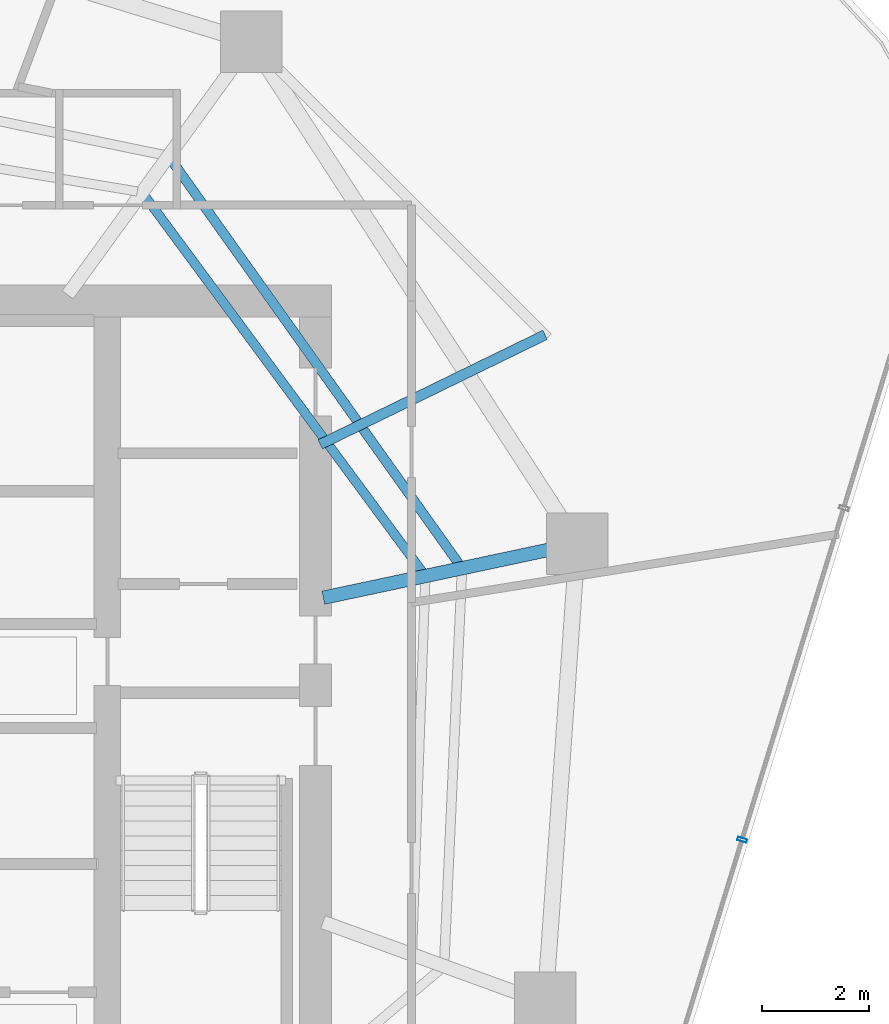
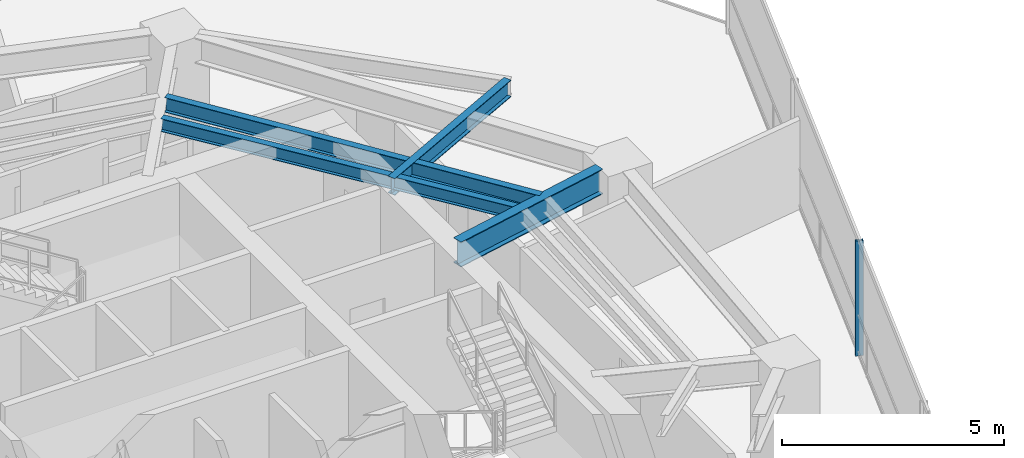
# One storey, part 9 of 23: 4 beams, 1 member, 1 element without a shape of its own.
"""IFC4 building model written with IfcOpenShell, lengths in metres."""

from ifc_helpers import new_model, si_unit, direction, frame, origin, origin_2d, place, context, subcontext, project, spatial, hollow_rectangle, i_section, extrude, material, layer, layer_set, material_profile, profile_set, type_object, element, aggregate, save


model = new_model("IFC4")

# Units and contexts
model_context = context("Model", 3, precision=1e-05, world=origin(), true_north=direction((0.0, 1.0)))
body_context = subcontext(model_context, "Body", "Model", "MODEL_VIEW")
ifc_project = project(units=[si_unit("LENGTHUNIT", "METRE"), si_unit("AREAUNIT", "SQUARE_METRE"), si_unit("VOLUMEUNIT", "CUBIC_METRE"), si_unit("PLANEANGLEUNIT", "RADIAN"), si_unit("MASSUNIT", "GRAM", prefix="KILO")], contexts=[model_context])

# Site, building, storey
site_placement = place(None, origin())
site = spatial("IfcSite", under=ifc_project, at=site_placement, CompositionType="ELEMENT")
building_placement = place(site_placement, origin())
building = spatial("IfcBuilding", under=site, at=building_placement, Name="Qarnah Convention Tower", CompositionType="ELEMENT")
storey_placement = place(building_placement, frame((0.0, 0.0, 114.300048828125)))
storey = spatial("IfcBuildingStorey", under=building, at=storey_placement, Name="L30", CompositionType="ELEMENT", Elevation=114.300048828125)

# Beams
ifc_material_1 = material(Name="Structural steel S355JR", Category="steel")
ifc_material_profile_1 = material_profile(ifc_material_1, i_section(OverallWidth=0.19189453125, OverallDepth=0.464111328125, WebThickness=0.010986328125, FlangeThickness=0.01806640625, at=origin_2d()), Name="W460X89")
ifc_profile_set_1 = profile_set([ifc_material_profile_1], Name="Structural steel S355JR")
beam_type_1 = type_object("IfcBeamType", Name="BM-CANT-W460A", PredefinedType="BEAM", material=ifc_profile_set_1)
beam_1_placement = place(storey_placement, frame((47.68994140625, 31.51611328125, 2.93798828125), z_axis=(0.898872044655, 0.438211190339, 0.0), x_axis=(-0.438211190339, 0.898872044655, 0.0)))
element("IfcBeam", 1, at=beam_1_placement, inside=storey, type_object=beam_type_1, Name="L30 beam BM-L30-CNT-01-2", PredefinedType="BEAM", context=body_context, shape_type="SweptSolid", body=[
    extrude(i_section(OverallWidth=0.19189453125, OverallDepth=0.464111328125, WebThickness=0.010986328125, FlangeThickness=0.01806640625, at=origin_2d()), origin(), (0.0, 0.0, 1.0), 4.687255859375),
])
ifc_material_profile_2 = material_profile(ifc_material_1, i_section(OverallWidth=0.172119140625, OverallDepth=0.35595703125, WebThickness=0.007080078125, FlangeThickness=0.011962890625, at=origin_2d()), Name="W360X51")
ifc_profile_set_2 = profile_set([ifc_material_profile_2], Name="Structural steel S355JR")
beam_type_2 = type_object("IfcBeamType", Name="BM-JST-W360", PredefinedType="JOIST", material=ifc_profile_set_2)
beam_2_placement = place(storey_placement, frame((49.60791015625, 29.12109375, 2.991943359375), z_axis=(-0.594009463015, 0.804458052262, 0.0), x_axis=(-0.804458052262, -0.594009463015, 0.0)))
element("IfcBeam", 2, at=beam_2_placement, inside=storey, type_object=beam_type_2, Name="L30 joist BM-L30-IJST-01", PredefinedType="JOIST", context=body_context, shape_type="SweptSolid", body=[
    extrude(i_section(OverallWidth=0.172119140625, OverallDepth=0.35595703125, WebThickness=0.007080078125, FlangeThickness=0.011962890625, at=origin_2d()), origin(), (0.0, 0.0, 1.0), 8.76220703125),
])
ifc_material_profile_3 = material_profile(ifc_material_1, i_section(OverallWidth=0.177978515625, OverallDepth=0.407958984375, WebThickness=0.008056640625, FlangeThickness=0.012939453125, at=origin_2d()), Name="W410X60")
ifc_profile_set_3 = profile_set([ifc_material_profile_3], Name="Structural steel S355JR")
beam_type_3 = type_object("IfcBeamType", Name="BM-JST-W410", PredefinedType="JOIST", material=ifc_profile_set_3)
beam_3_placement = place(storey_placement, frame((50.2958984375, 29.26806640625, 2.966064453125), z_axis=(-0.580091214001, 0.814551522888, 0.0), x_axis=(-0.814551522888, -0.580091214001, 0.0)))
element("IfcBeam", 3, at=beam_3_placement, inside=storey, type_object=beam_type_3, Name="L30 joist BM-L30-SJST-01", PredefinedType="JOIST", context=body_context, shape_type="SweptSolid", body=[
    extrude(i_section(OverallWidth=0.177978515625, OverallDepth=0.407958984375, WebThickness=0.008056640625, FlangeThickness=0.012939453125, at=origin_2d()), origin(), (0.0, 0.0, 1.0), 9.30712890625),
])
ifc_material_profile_4 = material_profile(ifc_material_1, i_section(OverallWidth=0.25390625, OverallDepth=0.68798828125, WebThickness=0.012939453125, FlangeThickness=0.02099609375, at=origin_2d()), Name="W690X152")
ifc_profile_set_4 = profile_set([ifc_material_profile_4], Name="Structural steel S355JR")
beam_type_4 = type_object("IfcBeamType", Name="BM-RAD-W690", PredefinedType="BEAM", material=ifc_profile_set_4)
beam_4_placement = place(storey_placement, frame((47.7470703125, 28.64208984375, 2.825927734375), z_axis=(0.978128480765, 0.20800162287, 0.0), x_axis=(-0.20800162287, 0.978128480765, 0.0)))
element("IfcBeam", 4, at=beam_4_placement, inside=storey, type_object=beam_type_4, Name="L30 beam BM-L30-RAD-01", PredefinedType="BEAM", context=body_context, shape_type="SweptSolid", body=[
    extrude(i_section(OverallWidth=0.25390625, OverallDepth=0.68798828125, WebThickness=0.012939453125, FlangeThickness=0.02099609375, at=origin_2d()), origin(), (0.0, 0.0, 1.0), 4.312255859375),
])

# Curtain wall, member
ifc_material_2 = material(Name="Tempered Low-E dark glass", Category="glass")
ifc_layer = layer(ifc_material_2, 0.169921875)
ifc_layer_set = layer_set([ifc_layer], Name="Tempered Low-E dark glass")
curtain_wall_type = type_object("IfcCurtainWallType", Name="CWS-02", PredefinedType="NOTDEFINED", material=ifc_layer_set)
curtain_wall_placement = place(storey_placement, origin())
curtain_wall = element("IfcCurtainWall", 5, at=curtain_wall_placement, inside=storey, type_object=curtain_wall_type, Name="L30 unitised curtain wall CW-L30-F2", PredefinedType="NOTDEFINED")
ifc_material_3 = material(Name="Black anodised aluminium", Category="aluminium")
ifc_material_profile_5 = material_profile(ifc_material_3, hollow_rectangle(XDim=0.06494140625, YDim=0.179931640625, WallThickness=0.00390625, at=origin_2d()), Name="MUL-65X180")
ifc_profile_set_5 = profile_set([ifc_material_profile_5], Name="Black anodised aluminium")
member_type = type_object("IfcMemberType", Name="MUL-T2", PredefinedType="MULLION", material=ifc_profile_set_5)
member_placement = place(storey_placement, frame((55.60009765625, 24.104736328125, 0.0), z_axis=(0.0, 0.0, 1.0), x_axis=(-0.293046001666, -0.956098342697, 0.0)))
member = element("IfcMember", 6, at=member_placement, type_object=member_type, Name="CW-L30-F2 mullion 3", PredefinedType="MULLION", context=body_context, shape_type="SweptSolid", body=[
    extrude(hollow_rectangle(XDim=0.06494140625, YDim=0.179931640625, WallThickness=0.00390625, at=origin_2d()), origin(), (0.0, 0.0, 1.0), 3.169921875),
])
aggregate(curtain_wall, [member])

save(model, "model.ifc")
